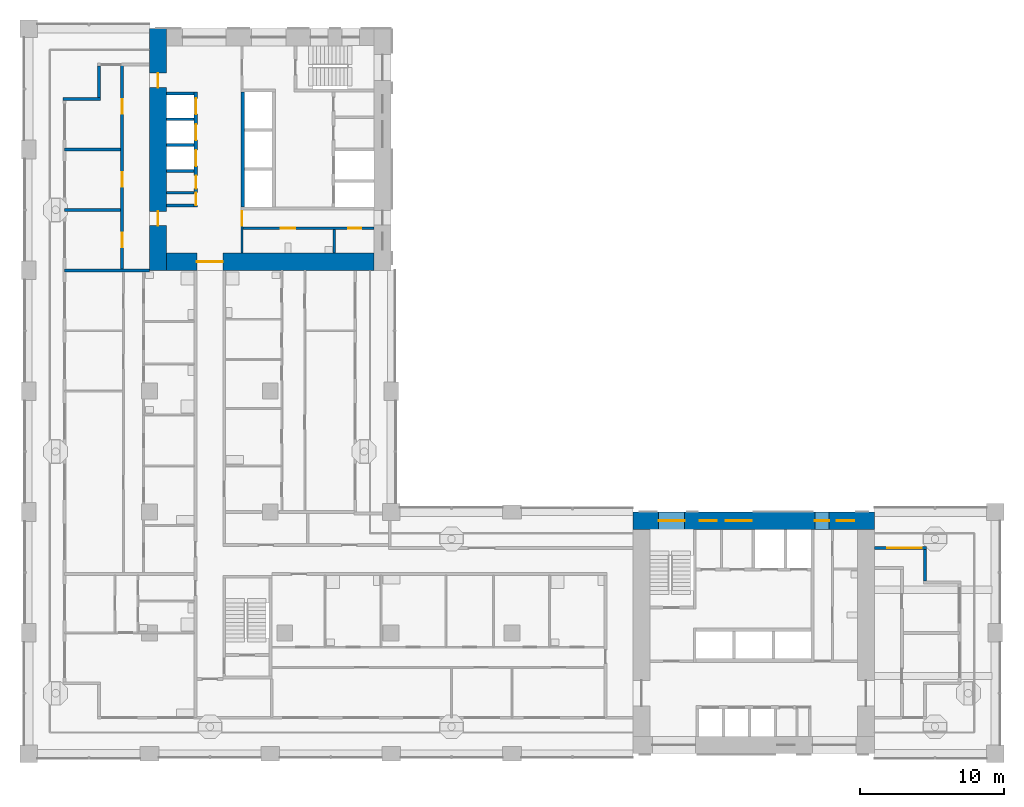
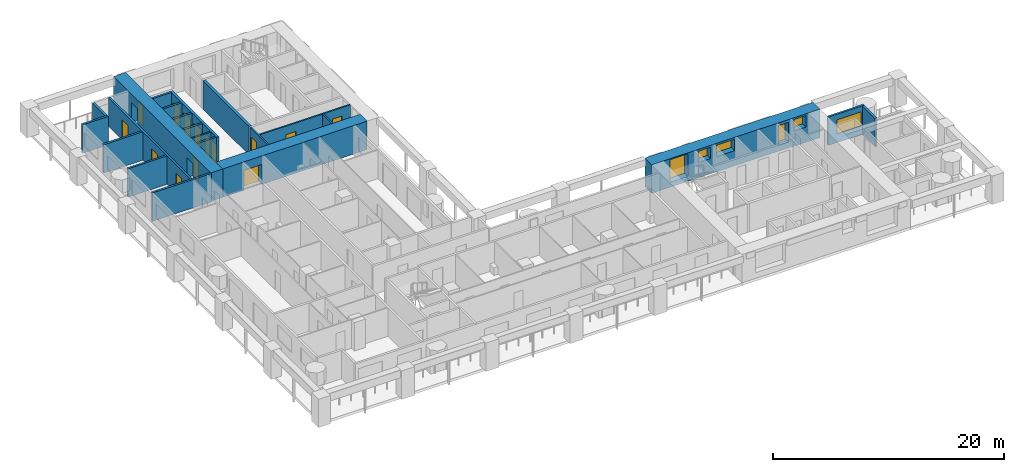
# One storey, part 6 of 18: 22 walls, 14 doors, 6 windows, 20 openings.
"""IFC4 building model written with IfcOpenShell, lengths in metres."""

from ifc_helpers import new_model, si_unit, direction, frame, frame_2d, origin, place, context, subcontext, project, spatial, rectangle, extrude, material, layer, layer_set, type_object, element, fill, save


model = new_model("IFC4")

# Units and contexts
model_context = context("Model", 3, precision=1e-05, world=origin(), true_north=direction((0.0, 1.0)))
body_context = subcontext(model_context, "Body", "Model", "MODEL_VIEW")
ifc_project = project(units=[si_unit("LENGTHUNIT", "METRE"), si_unit("AREAUNIT", "SQUARE_METRE"), si_unit("VOLUMEUNIT", "CUBIC_METRE"), si_unit("PLANEANGLEUNIT", "RADIAN"), si_unit("MASSUNIT", "GRAM", prefix="KILO")], contexts=[model_context])

# Site, building, storey
site_placement = place(None, origin())
site = spatial("IfcSite", under=ifc_project, at=site_placement, CompositionType="ELEMENT")
building_placement = place(site_placement, origin())
building = spatial("IfcBuilding", under=site, at=building_placement, Name="Vermilion Gate Residences", CompositionType="ELEMENT")
storey_placement = place(building_placement, frame((0.0, 0.0, 137.199951171875)))
storey = spatial("IfcBuildingStorey", under=building, at=storey_placement, Name="L35", CompositionType="ELEMENT", Elevation=137.199951171875)

# Wall
ifc_material_1 = material(Name="Masonry blockwork", Category="masonry")
ifc_layer_1 = layer(ifc_material_1, 0.14990234375)
ifc_layer_set_1 = layer_set([ifc_layer_1], Name="BLOCKWORK PARTITION 150 EI 120")
wall_type_1 = type_object("IfcWallType", Name="BLOCKWORK PARTITION 150 EI 120", PredefinedType="PARTITIONING", material=ifc_layer_set_1)
wall_1_placement = place(storey_placement, frame((9.60009765625, 47.392578125, 0.0), z_axis=(0.0, 0.0, 1.0), x_axis=(1.0, 0.0, 0.0)))
element("IfcWall", 1, at=wall_1_placement, inside=storey, type_object=wall_type_1, Name="Core room partition B35-SR-P0", PredefinedType="PARTITIONING", context=body_context, shape_type="SweptSolid", body=[
    extrude(rectangle(XDim=1.89990234375, YDim=0.14990234375, at=frame_2d((0.949951171875, 0.0))), origin(), (0.0, 0.0, 1.0), 3.0),
])

# Wall, opening, door
wall_2_placement = place(storey_placement, frame((14.824951171875, 46.199951171875, 0.0), z_axis=(0.0, 0.0, 1.0), x_axis=(0.0, -1.0, 0.0)))
wall_2 = element("IfcWall", 2, at=wall_2_placement, inside=storey, type_object=wall_type_1, Name="Core room partition B35-ES-S", PredefinedType="PARTITIONING", context=body_context, shape_type="SweptSolid", body=[
    extrude(rectangle(XDim=3.0, YDim=0.14990234375, at=frame_2d((1.5, 0.0))), origin(), (0.0, 0.0, 1.0), 3.0),
])
opening_1_placement = place(wall_2_placement, frame((0.10009765625, 0.0, 0.0)))
opening_1 = element("IfcOpeningElement", 3, at=opening_1_placement, cuts=wall_2, Name="Opening DK35115", PredefinedType="OPENING", context=body_context, shape_type="SweptSolid", body=[
    extrude(rectangle(XDim=1.0, YDim=2.10009765625, at=frame_2d((0.5, 1.050048828125))), frame((0.0, 0.0849609375, 0.0), z_axis=(0.0, -1.0, 0.0), x_axis=(1.0, 0.0, 0.0)), (0.0, 0.0, 1.0), 0.169921875),
])
ifc_material_2 = material(Name="Steel", Category="steel")
door_type_1 = type_object("IfcDoorType", Name="FIRE DOOR FD60 1000 X 2100", OperationType="SINGLE_SWING_LEFT", PredefinedType="DOOR", material=ifc_material_2)
door_1_placement = place(opening_1_placement, frame((1.0, 0.0, 0.0), z_axis=(0.0, 0.0, 1.0), x_axis=(-1.0, 0.0, 0.0)))
door_1 = element("IfcDoor", 4, at=door_1_placement, inside=storey, type_object=door_type_1, Name="Service corridor door B35", OperationType="SINGLE_SWING_LEFT", OverallHeight=2.10009765625, OverallWidth=1.0, PredefinedType="DOOR", context=body_context, shape_type="SweptSolid", body=[
    extrude(rectangle(XDim=1.0, YDim=2.10009765625, at=frame_2d((0.5, 1.050048828125))), frame((0.0, 0.02490234375, 0.0), z_axis=(0.0, -1.0, 0.0), x_axis=(1.0, 0.0, 0.0)), (0.0, 0.0, 1.0), 0.050048828125),
])
fill(opening_1, door_1)

# Wall
wall_3_placement = place(storey_placement, frame((21.239990234375, 44.85009765625, 0.0), z_axis=(0.0, 0.0, 1.0), x_axis=(0.0, -1.0, 0.0)))
element("IfcWall", 5, at=wall_3_placement, inside=storey, type_object=wall_type_1, Name="Core room partition B35-ES-P0", PredefinedType="PARTITIONING", context=body_context, shape_type="SweptSolid", body=[
    extrude(rectangle(XDim=1.650146484375, YDim=0.14990234375, at=frame_2d((0.8251953125, 0.0))), origin(), (0.0, 0.0, 1.0), 3.0),
])

# Wall, openings, doors
wall_4_placement = place(storey_placement, frame((14.89990234375, 44.925048828125, 0.0), z_axis=(0.0, 0.0, 1.0), x_axis=(1.0, 0.0, 0.0)))
wall_4 = element("IfcWall", 6, at=wall_4_placement, inside=storey, type_object=wall_type_1, Name="Core room partition B35-ES-W", PredefinedType="PARTITIONING", context=body_context, shape_type="SweptSolid", body=[
    extrude(rectangle(XDim=9.10009765625, YDim=0.14990234375, at=frame_2d((4.550048828125, 0.0))), origin(), (0.0, 0.0, 1.0), 3.0),
])
opening_2_placement = place(wall_4_placement, frame((2.632568359375, 0.0, 0.0)))
opening_2 = element("IfcOpeningElement", 7, at=opening_2_placement, cuts=wall_4, Name="Opening DK35116", PredefinedType="OPENING", context=body_context, shape_type="SweptSolid", body=[
    extrude(rectangle(XDim=1.0, YDim=2.10009765625, at=frame_2d((0.5, 1.050048828125))), frame((0.0, 0.0849609375, 0.0), z_axis=(0.0, -1.0, 0.0), x_axis=(1.0, 0.0, 0.0)), (0.0, 0.0, 1.0), 0.169921875),
])
opening_3_placement = place(wall_4_placement, frame((7.3076171875, 0.0, 0.0)))
opening_3 = element("IfcOpeningElement", 8, at=opening_3_placement, cuts=wall_4, Name="Opening DK35117", PredefinedType="OPENING", context=body_context, shape_type="SweptSolid", body=[
    extrude(rectangle(XDim=0.89990234375, YDim=2.10009765625, at=frame_2d((0.449951171875, 1.050048828125))), frame((0.0, 0.0849609375, 0.0), z_axis=(0.0, -1.0, 0.0), x_axis=(1.0, 0.0, 0.0)), (0.0, 0.0, 1.0), 0.169921875),
])
door_2_placement = place(opening_2_placement, frame((1.0, 0.0, 0.0), z_axis=(0.0, 0.0, 1.0), x_axis=(-1.0, 0.0, 0.0)))
door_2 = element("IfcDoor", 9, at=door_2_placement, inside=storey, type_object=door_type_1, Name="Accessible WC B35", OperationType="SINGLE_SWING_RIGHT", OverallHeight=2.10009765625, OverallWidth=1.0, PredefinedType="DOOR", context=body_context, shape_type="SweptSolid", body=[
    extrude(rectangle(XDim=1.0, YDim=2.10009765625, at=frame_2d((0.5, 1.050048828125))), frame((0.0, 0.02490234375, 0.0), z_axis=(0.0, -1.0, 0.0), x_axis=(1.0, 0.0, 0.0)), (0.0, 0.0, 1.0), 0.050048828125),
])
fill(opening_2, door_2)
ifc_material_3 = material(Name="Steel", Category="steel")
door_type_2 = type_object("IfcDoorType", Name="SERVICE ROOM DOOR FD60 900 X 2100", OperationType="SINGLE_SWING_LEFT", PredefinedType="DOOR", material=ifc_material_3)
door_3_placement = place(opening_3_placement, frame((0.89990234375, 0.0, 0.0), z_axis=(0.0, 0.0, 1.0), x_axis=(-1.0, 0.0, 0.0)))
door_3 = element("IfcDoor", 10, at=door_3_placement, inside=storey, type_object=door_type_2, Name="Communications room B35", OperationType="SINGLE_SWING_LEFT", OverallHeight=2.10009765625, OverallWidth=0.89990234375, PredefinedType="DOOR", context=body_context, shape_type="SweptSolid", body=[
    extrude(rectangle(XDim=0.89990234375, YDim=2.10009765625, at=frame_2d((0.449951171875, 1.050048828125))), frame((0.0, 0.02490234375, 0.0), z_axis=(0.0, -1.0, 0.0), x_axis=(1.0, 0.0, 0.0)), (0.0, 0.0, 1.0), 0.050048828125),
])
fill(opening_3, door_3)

# Walls
ifc_material_4 = material(Name="Insulated steel stud wall with terracotta rainscreen", Category="masonry")
ifc_layer_2 = layer(ifc_material_4, 0.199951171875)
ifc_layer_set_2 = layer_set([ifc_layer_2], Name="EXTERNAL WALL 200 TERRACOTTA RAINSCREEN")
wall_type_2 = type_object("IfcWallType", Name="EXTERNAL WALL 200 TERRACOTTA RAINSCREEN", PredefinedType="SOLIDWALL", material=ifc_layer_set_2)
wall_5_placement = place(storey_placement, frame((4.89990234375, 56.199951171875, 0.0), z_axis=(0.0, 0.0, 1.0), x_axis=(0.0, -1.0, 0.0)))
element("IfcWall", 11, at=wall_5_placement, inside=storey, type_object=wall_type_2, Name="External wall", PredefinedType="SOLIDWALL", context=body_context, shape_type="SweptSolid", body=[
    extrude(rectangle(XDim=2.199951171875, YDim=0.199951171875, at=frame_2d((1.10009765625, 0.0))), origin(), (0.0, 0.0, 1.0), 3.0),
])
wall_6_placement = place(storey_placement, frame((5.0, 53.89990234375, 0.0), z_axis=(0.0, 0.0, 1.0), x_axis=(-1.0, 0.0, 0.0)))
element("IfcWall", 12, at=wall_6_placement, inside=storey, type_object=wall_type_2, Name="External wall", PredefinedType="SOLIDWALL", context=body_context, shape_type="SweptSolid", body=[
    extrude(rectangle(XDim=2.60009765625, YDim=0.199951171875, at=frame_2d((1.300048828125, 0.0))), origin(), (0.0, 0.0, 1.0), 3.0),
])
wall_7_placement = place(storey_placement, frame((62.300048828125, 20.39990234375, 0.0), z_axis=(0.0, 0.0, 1.0), x_axis=(0.0, 1.0, 0.0)))
element("IfcWall", 13, at=wall_7_placement, inside=storey, type_object=wall_type_2, Name="External wall", PredefinedType="SOLIDWALL", context=body_context, shape_type="SweptSolid", body=[
    extrude(rectangle(XDim=2.2001953125, YDim=0.199951171875, at=frame_2d((1.10009765625, 0.0))), origin(), (0.0, 0.0, 1.0), 3.0),
])

# Wall, opening, window
wall_8_placement = place(storey_placement, frame((62.39990234375, 22.699951171875, 0.0), z_axis=(0.0, 0.0, 1.0), x_axis=(-1.0, 0.0, 0.0)))
wall_8 = element("IfcWall", 14, at=wall_8_placement, inside=storey, type_object=wall_type_2, Name="External wall", PredefinedType="SOLIDWALL", context=body_context, shape_type="SweptSolid", body=[
    extrude(rectangle(XDim=3.599853515625, YDim=0.199951171875, at=frame_2d((1.7998046875, 0.0))), origin(), (0.0, 0.0, 1.0), 3.0),
])
opening_4_placement = place(wall_8_placement, frame((0.300048828125, 0.0, 0.89990234375)))
opening_4 = element("IfcOpeningElement", 15, at=opening_4_placement, cuts=wall_8, Name="Opening WE35023", PredefinedType="OPENING", context=body_context, shape_type="SweptSolid", body=[
    extrude(rectangle(XDim=2.39990234375, YDim=1.5, at=frame_2d((1.199951171875, 0.75))), frame((0.0, 0.10986328125, 0.0), z_axis=(0.0, -1.0, 0.0), x_axis=(1.0, 0.0, 0.0)), (0.0, 0.0, 1.0), 0.219970703125),
])
ifc_material_5 = material(Name="Aluminium and clear glass", Category="aluminium")
window_type_1 = type_object("IfcWindowType", Name="WINDOW 2400 X 1500", PartitioningType="SINGLE_PANEL", PredefinedType="WINDOW", material=ifc_material_5)
window_1_placement = place(opening_4_placement, origin())
window_1 = element("IfcWindow", 16, at=window_1_placement, inside=storey, type_object=window_type_1, Name="Window", OverallHeight=1.5, OverallWidth=2.39990234375, PartitioningType="SINGLE_PANEL", PredefinedType="WINDOW", context=body_context, shape_type="SweptSolid", body=[
    extrude(rectangle(XDim=2.39990234375, YDim=1.5, at=frame_2d((1.199951171875, 0.75))), frame((0.0, 0.030029296875, 0.0), z_axis=(0.0, -1.0, 0.0), x_axis=(1.0, 0.0, 0.0)), (0.0, 0.0, 1.0), 0.06005859375),
])
fill(opening_4, window_1)

# Walls
ifc_material_6 = material(Name="Fire-rated plasterboard on steel studs", Category="steel")
ifc_layer_3 = layer(ifc_material_6, 0.199951171875)
ifc_layer_set_3 = layer_set([ifc_layer_3], Name="PARTY WALL 200 EI 120")
wall_type_3 = type_object("IfcWallType", Name="PARTY WALL 200 EI 120", PredefinedType="PARTITIONING", material=ifc_layer_set_3)
wall_9_placement = place(storey_placement, frame((2.5, 42.0, 0.0), z_axis=(0.0, 0.0, 1.0), x_axis=(1.0, 0.0, 0.0)))
element("IfcWall", 17, at=wall_9_placement, inside=storey, type_object=wall_type_3, Name="Party and corridor wall", PredefinedType="PARTITIONING", context=body_context, shape_type="SweptSolid", body=[
    extrude(rectangle(XDim=5.89990234375, YDim=0.199951171875, at=frame_2d((2.949951171875, 0.0))), origin(), (0.0, 0.0, 1.0), 3.0),
])
for number, where, z_axis, x_axis, name in (
    (18, (2.5, 46.199951171875, 0.0), (0.0, 0.0, 1.0), (1.0, 0.0, 0.0), "Party and corridor wall"),
    (19, (2.5, 50.39990234375, 0.0), (0.0, 0.0, 1.0), (1.0, 0.0, 0.0), "Party and corridor wall"),
):
    element("IfcWall", number, at=place(storey_placement, frame(where, z_axis=z_axis, x_axis=x_axis)), inside=storey, type_object=wall_type_3, Name=name, PredefinedType="PARTITIONING", context=body_context, shape_type="SweptSolid", body=[
        extrude(rectangle(XDim=3.89990234375, YDim=0.199951171875, at=frame_2d((1.949951171875, 0.0))), origin(), (0.0, 0.0, 1.0), 3.0),
    ])

# Wall, openings, doors
wall_10_placement = place(storey_placement, frame((6.5, 42.10009765625, 0.0), z_axis=(0.0, 0.0, 1.0), x_axis=(0.0, 1.0, 0.0)))
wall_10 = element("IfcWall", 20, at=wall_10_placement, inside=storey, type_object=wall_type_3, Name="Party and corridor wall", PredefinedType="PARTITIONING", context=body_context, shape_type="SweptSolid", body=[
    extrude(rectangle(XDim=14.199951171875, YDim=0.199951171875, at=frame_2d((7.10009765625, 0.0))), origin(), (0.0, 0.0, 1.0), 3.0),
])
opening_5_placement = place(wall_10_placement, frame((1.5, 0.0, 0.0)))
opening_5 = element("IfcOpeningElement", 21, at=opening_5_placement, cuts=wall_10, Name="Opening DA34016", PredefinedType="OPENING", context=body_context, shape_type="SweptSolid", body=[
    extrude(rectangle(XDim=1.0, YDim=2.10009765625, at=frame_2d((0.5, 1.050048828125))), frame((0.0, 0.10986328125, 0.0), z_axis=(0.0, -1.0, 0.0), x_axis=(1.0, 0.0, 0.0)), (0.0, 0.0, 1.0), 0.219970703125),
])
opening_6_placement = place(wall_10_placement, frame((5.699951171875, 0.0, 0.0)))
opening_6 = element("IfcOpeningElement", 22, at=opening_6_placement, cuts=wall_10, Name="Opening DA34017", PredefinedType="OPENING", context=body_context, shape_type="SweptSolid", body=[
    extrude(rectangle(XDim=1.0, YDim=2.10009765625, at=frame_2d((0.5, 1.050048828125))), frame((0.0, 0.10986328125, 0.0), z_axis=(0.0, -1.0, 0.0), x_axis=(1.0, 0.0, 0.0)), (0.0, 0.0, 1.0), 0.219970703125),
])
opening_7_placement = place(wall_10_placement, frame((10.800048828125, 0.0, 0.0)))
opening_7 = element("IfcOpeningElement", 23, at=opening_7_placement, cuts=wall_10, Name="Opening DA34018", PredefinedType="OPENING", context=body_context, shape_type="SweptSolid", body=[
    extrude(rectangle(XDim=1.0, YDim=2.10009765625, at=frame_2d((0.5, 1.050048828125))), frame((0.0, 0.10986328125, 0.0), z_axis=(0.0, -1.0, 0.0), x_axis=(1.0, 0.0, 0.0)), (0.0, 0.0, 1.0), 0.219970703125),
])
ifc_material_7 = material(Name="Steel", Category="steel")
door_type_3 = type_object("IfcDoorType", Name="ENTRANCE DOOR 1000 X 2100 FD30", OperationType="SINGLE_SWING_LEFT", PredefinedType="DOOR", material=ifc_material_7)
door_4_placement = place(opening_5_placement, origin())
door_4 = element("IfcDoor", 24, at=door_4_placement, inside=storey, type_object=door_type_3, Name="Entrance door", OperationType="SINGLE_SWING_LEFT", OverallHeight=2.10009765625, OverallWidth=1.0, PredefinedType="DOOR", context=body_context, shape_type="SweptSolid", body=[
    extrude(rectangle(XDim=1.0, YDim=2.10009765625, at=frame_2d((0.5, 1.050048828125))), frame((0.0, 0.02490234375, 0.0), z_axis=(0.0, -1.0, 0.0), x_axis=(1.0, 0.0, 0.0)), (0.0, 0.0, 1.0), 0.050048828125),
])
fill(opening_5, door_4)
door_5_placement = place(opening_6_placement, origin())
door_5 = element("IfcDoor", 25, at=door_5_placement, inside=storey, type_object=door_type_3, Name="Entrance door", OperationType="SINGLE_SWING_RIGHT", OverallHeight=2.10009765625, OverallWidth=1.0, PredefinedType="DOOR", context=body_context, shape_type="SweptSolid", body=[
    extrude(rectangle(XDim=1.0, YDim=2.10009765625, at=frame_2d((0.5, 1.050048828125))), frame((0.0, 0.02490234375, 0.0), z_axis=(0.0, -1.0, 0.0), x_axis=(1.0, 0.0, 0.0)), (0.0, 0.0, 1.0), 0.050048828125),
])
fill(opening_6, door_5)
door_6_placement = place(opening_7_placement, origin())
door_6 = element("IfcDoor", 26, at=door_6_placement, inside=storey, type_object=door_type_3, Name="Entrance door", OperationType="SINGLE_SWING_RIGHT", OverallHeight=2.10009765625, OverallWidth=1.0, PredefinedType="DOOR", context=body_context, shape_type="SweptSolid", body=[
    extrude(rectangle(XDim=1.0, YDim=2.10009765625, at=frame_2d((0.5, 1.050048828125))), frame((0.0, 0.02490234375, 0.0), z_axis=(0.0, -1.0, 0.0), x_axis=(1.0, 0.0, 0.0)), (0.0, 0.0, 1.0), 0.050048828125),
])
fill(opening_7, door_6)

# Walls
ifc_material_8 = material(Name="Concrete C60", Category="concrete")
ifc_layer_4 = layer(ifc_material_8, 0.199951171875)
ifc_layer_set_4 = layer_set([ifc_layer_4], Name="RC CORE INTERNAL WALL 200 C60")
wall_type_4 = type_object("IfcWallType", Name="RC CORE INTERNAL WALL 200 C60", PredefinedType="SHEAR", material=ifc_layer_set_4)
for number, where, z_axis, x_axis, name in (
    (27, (9.60009765625, 54.300048828125, 0.0), (0.0, 0.0, 1.0), (1.0, 0.0, 0.0), "Core internal wall B35-LR-D0"),
    (28, (9.60009765625, 52.5, 0.0), (0.0, 0.0, 1.0), (1.0, 0.0, 0.0), "Core internal wall B35-LR-D1"),
    (29, (9.60009765625, 50.699951171875, 0.0), (0.0, 0.0, 1.0), (1.0, 0.0, 0.0), "Core internal wall B35-LR-D2"),
    (30, (9.60009765625, 48.89990234375, 0.0), (0.0, 0.0, 1.0), (1.0, 0.0, 0.0), "Core internal wall B35-LR-D3"),
    (31, (9.60009765625, 46.5, 0.0), (0.0, 0.0, 1.0), (1.0, 0.0, 0.0), "Core internal wall B35-LR-DE"),
):
    element("IfcWall", number, at=place(storey_placement, frame(where, z_axis=z_axis, x_axis=x_axis)), inside=storey, type_object=wall_type_4, Name=name, PredefinedType="SHEAR", context=body_context, shape_type="SweptSolid", body=[
        extrude(rectangle(XDim=1.89990234375, YDim=0.199951171875, at=frame_2d((0.949951171875, 0.0))), origin(), (0.0, 0.0, 1.0), 3.0),
    ])

# Wall, openings, doors
ifc_material_9 = material(Name="Concrete C70", Category="concrete")
ifc_layer_5 = layer(ifc_material_9, 1.199951171875)
ifc_layer_set_5 = layer_set([ifc_layer_5], Name="RC CORE WALL 1200 C70")
wall_type_5 = type_object("IfcWallType", Name="RC CORE WALL 1200 C70", PredefinedType="SHEAR", material=ifc_layer_set_5)
wall_11_placement = place(storey_placement, frame((9.0, 58.800048828125, 0.0), z_axis=(0.0, 0.0, 1.0), x_axis=(0.0, -1.0, 0.0)))
wall_11 = element("IfcWall", 32, at=wall_11_placement, inside=storey, type_object=wall_type_5, Name="Core wall B35-OUT-B0", PredefinedType="SHEAR", context=body_context, shape_type="SweptSolid", body=[
    extrude(rectangle(XDim=16.800048828125, YDim=1.199951171875, at=frame_2d((8.39990234375, 0.0))), origin(), (0.0, 0.0, 1.0), 3.0),
])
opening_8_placement = place(wall_11_placement, frame((3.10009765625, 0.0, 0.0)))
opening_8 = element("IfcOpeningElement", 33, at=opening_8_placement, cuts=wall_11, Name="Opening DK35101", PredefinedType="OPENING", context=body_context, shape_type="SweptSolid", body=[
    extrude(rectangle(XDim=1.0, YDim=2.10009765625, at=frame_2d((0.5, 1.050048828125))), frame((0.0, 0.60986328125, 0.0), z_axis=(0.0, -1.0, 0.0), x_axis=(1.0, 0.0, 0.0)), (0.0, 0.0, 1.0), 1.219970703125),
])
opening_9_placement = place(wall_11_placement, frame((12.699951171875, 0.0, 0.0)))
opening_9 = element("IfcOpeningElement", 34, at=opening_9_placement, cuts=wall_11, Name="Opening DK35102", PredefinedType="OPENING", context=body_context, shape_type="SweptSolid", body=[
    extrude(rectangle(XDim=1.0, YDim=2.10009765625, at=frame_2d((0.5, 1.050048828125))), frame((0.0, 0.60986328125, 0.0), z_axis=(0.0, -1.0, 0.0), x_axis=(1.0, 0.0, 0.0)), (0.0, 0.0, 1.0), 1.219970703125),
])
door_7_placement = place(opening_8_placement, origin())
door_7 = element("IfcDoor", 35, at=door_7_placement, inside=storey, type_object=door_type_1, Name="Core lobby side door B35", OperationType="SINGLE_SWING_RIGHT", OverallHeight=2.10009765625, OverallWidth=1.0, PredefinedType="DOOR", context=body_context, shape_type="SweptSolid", body=[
    extrude(rectangle(XDim=1.0, YDim=2.10009765625, at=frame_2d((0.5, 1.050048828125))), frame((0.0, 0.02490234375, 0.0), z_axis=(0.0, -1.0, 0.0), x_axis=(1.0, 0.0, 0.0)), (0.0, 0.0, 1.0), 0.050048828125),
])
fill(opening_8, door_7)
door_8_placement = place(opening_9_placement, origin())
door_8 = element("IfcDoor", 36, at=door_8_placement, inside=storey, type_object=door_type_1, Name="Core lobby side door B35", OperationType="SINGLE_SWING_LEFT", OverallHeight=2.10009765625, OverallWidth=1.0, PredefinedType="DOOR", context=body_context, shape_type="SweptSolid", body=[
    extrude(rectangle(XDim=1.0, YDim=2.10009765625, at=frame_2d((0.5, 1.050048828125))), frame((0.0, 0.02490234375, 0.0), z_axis=(0.0, -1.0, 0.0), x_axis=(1.0, 0.0, 0.0)), (0.0, 0.0, 1.0), 0.050048828125),
])
fill(opening_9, door_8)

# Wall, opening, door
wall_12_placement = place(storey_placement, frame((9.60009765625, 42.60009765625, 0.0), z_axis=(0.0, 0.0, 1.0), x_axis=(1.0, 0.0, 0.0)))
wall_12 = element("IfcWall", 37, at=wall_12_placement, inside=storey, type_object=wall_type_5, Name="Core wall B35-OUT-BK", PredefinedType="SHEAR", context=body_context, shape_type="SweptSolid", body=[
    extrude(rectangle(XDim=14.39990234375, YDim=1.199951171875, at=frame_2d((7.199951171875, 0.0))), origin(), (0.0, 0.0, 1.0), 3.0),
])
opening_10_placement = place(wall_12_placement, frame((2.10009765625, 0.0, 0.0)))
opening_10 = element("IfcOpeningElement", 38, at=opening_10_placement, cuts=wall_12, Name="Opening DK35103", PredefinedType="OPENING", context=body_context, shape_type="SweptSolid", body=[
    extrude(rectangle(XDim=1.800048828125, YDim=2.10009765625, at=frame_2d((0.89990234375, 1.050048828125))), frame((0.0, 0.60986328125, 0.0), z_axis=(0.0, -1.0, 0.0), x_axis=(1.0, 0.0, 0.0)), (0.0, 0.0, 1.0), 1.219970703125),
])
ifc_material_10 = material(Name="Steel", Category="steel")
door_type_4 = type_object("IfcDoorType", Name="CORE LOBBY DOOR FD60 1800 X 2100", OperationType="DOUBLE_DOOR_SINGLE_SWING", PredefinedType="DOOR", material=ifc_material_10)
door_9_placement = place(opening_10_placement, origin())
door_9 = element("IfcDoor", 39, at=door_9_placement, inside=storey, type_object=door_type_4, Name="Core lobby door B35", OperationType="DOUBLE_DOOR_SINGLE_SWING", OverallHeight=2.10009765625, OverallWidth=1.800048828125, PredefinedType="DOOR", context=body_context, shape_type="SweptSolid", body=[
    extrude(rectangle(XDim=1.800048828125, YDim=2.10009765625, at=frame_2d((0.89990234375, 1.050048828125))), frame((0.0, 0.02490234375, 0.0), z_axis=(0.0, -1.0, 0.0), x_axis=(1.0, 0.0, 0.0)), (0.0, 0.0, 1.0), 0.050048828125),
])
fill(opening_10, door_9)

# Wall, openings, windows
ifc_material_11 = material(Name="Concrete C70 red-oxide pigmented", Category="concrete")
ifc_layer_6 = layer(ifc_material_11, 1.199951171875)
ifc_layer_set_6 = layer_set([ifc_layer_6], Name="RC CORE WALL 1200 C70 RED OXIDE")
wall_type_6 = type_object("IfcWallType", Name="RC CORE WALL 1200 C70 RED OXIDE", PredefinedType="SHEAR", material=ifc_layer_set_6)
wall_13_placement = place(storey_placement, frame((42.0, 24.60009765625, 0.0), z_axis=(0.0, 0.0, 1.0), x_axis=(1.0, 0.0, 0.0)))
wall_13 = element("IfcWall", 40, at=wall_13_placement, inside=storey, type_object=wall_type_6, Name="Core wall A35-OUT-B1", PredefinedType="SHEAR", context=body_context, shape_type="SweptSolid", body=[
    extrude(rectangle(XDim=16.800048828125, YDim=1.199951171875, at=frame_2d((8.39990234375, 0.0))), origin(), (0.0, 0.0, 1.0), 3.0),
])
opening_11_placement = place(wall_13_placement, frame((1.800048828125, 0.0, 0.5)))
opening_11 = element("IfcOpeningElement", 41, at=opening_11_placement, cuts=wall_13, Name="Opening WKA3504", PredefinedType="OPENING", context=body_context, shape_type="SweptSolid", body=[
    extrude(rectangle(XDim=1.800048828125, YDim=2.39990234375, at=frame_2d((0.89990234375, 1.199951171875))), frame((0.0, 0.60986328125, 0.0), z_axis=(0.0, -1.0, 0.0), x_axis=(1.0, 0.0, 0.0)), (0.0, 0.0, 1.0), 1.219970703125),
])
opening_12_placement = place(wall_13_placement, frame((4.643798828125, 0.0, 1.60009765625)))
opening_12 = element("IfcOpeningElement", 42, at=opening_12_placement, cuts=wall_13, Name="Opening WKA3505", PredefinedType="OPENING", context=body_context, shape_type="SweptSolid", body=[
    extrude(rectangle(XDim=1.199951171875, YDim=1.199951171875, at=frame_2d((0.60009765625, 0.60009765625))), frame((0.0, 0.60986328125, 0.0), z_axis=(0.0, -1.0, 0.0), x_axis=(1.0, 0.0, 0.0)), (0.0, 0.0, 1.0), 1.219970703125),
])
opening_13_placement = place(wall_13_placement, frame((6.449951171875, 0.0, 1.60009765625)))
opening_13 = element("IfcOpeningElement", 43, at=opening_13_placement, cuts=wall_13, Name="Opening WKA3506", PredefinedType="OPENING", context=body_context, shape_type="SweptSolid", body=[
    extrude(rectangle(XDim=1.800048828125, YDim=1.199951171875, at=frame_2d((0.89990234375, 0.60009765625))), frame((0.0, 0.60986328125, 0.0), z_axis=(0.0, -1.0, 0.0), x_axis=(1.0, 0.0, 0.0)), (0.0, 0.0, 1.0), 1.219970703125),
])
opening_14_placement = place(wall_13_placement, frame((12.64990234375, 0.0, 0.60009765625)))
opening_14 = element("IfcOpeningElement", 44, at=opening_14_placement, cuts=wall_13, Name="Opening WKA3507", PredefinedType="OPENING", context=body_context, shape_type="SweptSolid", body=[
    extrude(rectangle(XDim=1.0, YDim=2.10009765625, at=frame_2d((0.5, 1.050048828125))), frame((0.0, 0.60986328125, 0.0), z_axis=(0.0, -1.0, 0.0), x_axis=(1.0, 0.0, 0.0)), (0.0, 0.0, 1.0), 1.219970703125),
])
opening_15_placement = place(wall_13_placement, frame((14.175048828125, 0.0, 1.60009765625)))
opening_15 = element("IfcOpeningElement", 45, at=opening_15_placement, cuts=wall_13, Name="Opening WKA3508", PredefinedType="OPENING", context=body_context, shape_type="SweptSolid", body=[
    extrude(rectangle(XDim=1.199951171875, YDim=1.199951171875, at=frame_2d((0.60009765625, 0.60009765625))), frame((0.0, 0.60986328125, 0.0), z_axis=(0.0, -1.0, 0.0), x_axis=(1.0, 0.0, 0.0)), (0.0, 0.0, 1.0), 1.219970703125),
])
ifc_material_12 = material(Name="Aluminium and clear glass", Category="aluminium")
window_type_2 = type_object("IfcWindowType", Name="CORE CORRIDOR WINDOW 1000 X 2100", PartitioningType="SINGLE_PANEL", PredefinedType="WINDOW", material=ifc_material_12)
window_2_placement = place(opening_14_placement, origin())
window_2 = element("IfcWindow", 46, at=window_2_placement, inside=storey, type_object=window_type_2, Name="Core corridor window", OverallHeight=2.10009765625, OverallWidth=1.0, PartitioningType="SINGLE_PANEL", PredefinedType="WINDOW", context=body_context, shape_type="SweptSolid", body=[
    extrude(rectangle(XDim=1.0, YDim=2.10009765625, at=frame_2d((0.5, 1.050048828125))), frame((0.0, 0.030029296875, 0.0), z_axis=(0.0, -1.0, 0.0), x_axis=(1.0, 0.0, 0.0)), (0.0, 0.0, 1.0), 0.06005859375),
])
fill(opening_14, window_2)
ifc_material_13 = material(Name="Aluminium frame with louvre blades", Category="aluminium")
window_type_3 = type_object("IfcWindowType", Name="CORE LOUVRE 1200 X 1200", PartitioningType="SINGLE_PANEL", PredefinedType="WINDOW", material=ifc_material_13)
window_3_placement = place(opening_12_placement, origin())
window_3 = element("IfcWindow", 47, at=window_3_placement, inside=storey, type_object=window_type_3, Name="Core louvre", OverallHeight=1.199951171875, OverallWidth=1.199951171875, PartitioningType="SINGLE_PANEL", PredefinedType="WINDOW", context=body_context, shape_type="SweptSolid", body=[
    extrude(rectangle(XDim=1.199951171875, YDim=1.199951171875, at=frame_2d((0.60009765625, 0.60009765625))), frame((0.0, 0.030029296875, 0.0), z_axis=(0.0, -1.0, 0.0), x_axis=(1.0, 0.0, 0.0)), (0.0, 0.0, 1.0), 0.06005859375),
])
fill(opening_12, window_3)
window_4_placement = place(opening_15_placement, origin())
window_4 = element("IfcWindow", 48, at=window_4_placement, inside=storey, type_object=window_type_3, Name="Core louvre", OverallHeight=1.199951171875, OverallWidth=1.199951171875, PartitioningType="SINGLE_PANEL", PredefinedType="WINDOW", context=body_context, shape_type="SweptSolid", body=[
    extrude(rectangle(XDim=1.199951171875, YDim=1.199951171875, at=frame_2d((0.60009765625, 0.60009765625))), frame((0.0, 0.030029296875, 0.0), z_axis=(0.0, -1.0, 0.0), x_axis=(1.0, 0.0, 0.0)), (0.0, 0.0, 1.0), 0.06005859375),
])
fill(opening_15, window_4)
ifc_material_14 = material(Name="Aluminium frame with louvre blades", Category="aluminium")
window_type_4 = type_object("IfcWindowType", Name="CORE LOUVRE 1800 X 1200", PartitioningType="SINGLE_PANEL", PredefinedType="WINDOW", material=ifc_material_14)
window_5_placement = place(opening_13_placement, origin())
window_5 = element("IfcWindow", 49, at=window_5_placement, inside=storey, type_object=window_type_4, Name="Core louvre", OverallHeight=1.199951171875, OverallWidth=1.800048828125, PartitioningType="SINGLE_PANEL", PredefinedType="WINDOW", context=body_context, shape_type="SweptSolid", body=[
    extrude(rectangle(XDim=1.800048828125, YDim=1.199951171875, at=frame_2d((0.89990234375, 0.60009765625))), frame((0.0, 0.030029296875, 0.0), z_axis=(0.0, -1.0, 0.0), x_axis=(1.0, 0.0, 0.0)), (0.0, 0.0, 1.0), 0.06005859375),
])
fill(opening_13, window_5)
ifc_material_15 = material(Name="Aluminium and clear glass", Category="aluminium")
window_type_5 = type_object("IfcWindowType", Name="CORE STAIR WINDOW 1800 X 2400", PartitioningType="SINGLE_PANEL", PredefinedType="WINDOW", material=ifc_material_15)
window_6_placement = place(opening_11_placement, origin())
window_6 = element("IfcWindow", 50, at=window_6_placement, inside=storey, type_object=window_type_5, Name="Core stair window", OverallHeight=2.39990234375, OverallWidth=1.800048828125, PartitioningType="SINGLE_PANEL", PredefinedType="WINDOW", context=body_context, shape_type="SweptSolid", body=[
    extrude(rectangle(XDim=1.800048828125, YDim=2.39990234375, at=frame_2d((0.89990234375, 1.199951171875))), frame((0.0, 0.030029296875, 0.0), z_axis=(0.0, -1.0, 0.0), x_axis=(1.0, 0.0, 0.0)), (0.0, 0.0, 1.0), 0.06005859375),
])
fill(opening_11, window_6)

# Wall, openings, doors
ifc_material_16 = material(Name="Concrete C60", Category="concrete")
ifc_layer_7 = layer(ifc_material_16, 0.25)
ifc_layer_set_7 = layer_set([ifc_layer_7], Name="RC LIFT SHAFT WALL 250 C60")
wall_type_7 = type_object("IfcWallType", Name="RC LIFT SHAFT WALL 250 C60", PredefinedType="SHEAR", material=ifc_layer_set_7)
wall_14_placement = place(storey_placement, frame((11.625, 54.39990234375, 0.0), z_axis=(0.0, 0.0, 1.0), x_axis=(0.0, -1.0, 0.0)))
wall_14 = element("IfcWall", 51, at=wall_14_placement, inside=storey, type_object=wall_type_7, Name="Lift shaft wall B35-LR-F", PredefinedType="SHEAR", context=body_context, shape_type="SweptSolid", body=[
    extrude(rectangle(XDim=8.0, YDim=0.25, at=frame_2d((4.0, 0.0))), origin(), (0.0, 0.0, 1.0), 3.0),
])
opening_16_placement = place(wall_14_placement, frame((0.449951171875, 0.0, 0.0)))
opening_16 = element("IfcOpeningElement", 52, at=opening_16_placement, cuts=wall_14, Name="Opening LD", PredefinedType="OPENING", context=body_context, shape_type="SweptSolid", body=[
    extrude(rectangle(XDim=1.10009765625, YDim=2.10009765625, at=frame_2d((0.550048828125, 1.050048828125))), frame((0.0, 0.135009765625, 0.0), z_axis=(0.0, -1.0, 0.0), x_axis=(1.0, 0.0, 0.0)), (0.0, 0.0, 1.0), 0.27001953125),
])
opening_17_placement = place(wall_14_placement, frame((2.25, 0.0, 0.0)))
opening_17 = element("IfcOpeningElement", 53, at=opening_17_placement, cuts=wall_14, Name="Opening LD", PredefinedType="OPENING", context=body_context, shape_type="SweptSolid", body=[
    extrude(rectangle(XDim=1.10009765625, YDim=2.10009765625, at=frame_2d((0.550048828125, 1.050048828125))), frame((0.0, 0.135009765625, 0.0), z_axis=(0.0, -1.0, 0.0), x_axis=(1.0, 0.0, 0.0)), (0.0, 0.0, 1.0), 0.27001953125),
])
opening_18_placement = place(wall_14_placement, frame((4.050048828125, 0.0, 0.0)))
opening_18 = element("IfcOpeningElement", 54, at=opening_18_placement, cuts=wall_14, Name="Opening LD", PredefinedType="OPENING", context=body_context, shape_type="SweptSolid", body=[
    extrude(rectangle(XDim=1.10009765625, YDim=2.10009765625, at=frame_2d((0.550048828125, 1.050048828125))), frame((0.0, 0.135009765625, 0.0), z_axis=(0.0, -1.0, 0.0), x_axis=(1.0, 0.0, 0.0)), (0.0, 0.0, 1.0), 0.27001953125),
])
opening_19_placement = place(wall_14_placement, frame((5.816162109375, 0.0, 0.0)))
opening_19 = element("IfcOpeningElement", 55, at=opening_19_placement, cuts=wall_14, Name="Opening DK35107", PredefinedType="OPENING", context=body_context, shape_type="SweptSolid", body=[
    extrude(rectangle(XDim=0.89990234375, YDim=2.10009765625, at=frame_2d((0.449951171875, 1.050048828125))), frame((0.0, 0.135009765625, 0.0), z_axis=(0.0, -1.0, 0.0), x_axis=(1.0, 0.0, 0.0)), (0.0, 0.0, 1.0), 0.27001953125),
])
opening_20_placement = place(wall_14_placement, frame((6.9912109375, 0.0, 0.0)))
opening_20 = element("IfcOpeningElement", 56, at=opening_20_placement, cuts=wall_14, Name="Opening DK35108", PredefinedType="OPENING", context=body_context, shape_type="SweptSolid", body=[
    extrude(rectangle(XDim=0.89990234375, YDim=2.10009765625, at=frame_2d((0.449951171875, 1.050048828125))), frame((0.0, 0.135009765625, 0.0), z_axis=(0.0, -1.0, 0.0), x_axis=(1.0, 0.0, 0.0)), (0.0, 0.0, 1.0), 0.27001953125),
])
ifc_material_17 = material(Name="Stainless steel", Category="steel")
door_type_5 = type_object("IfcDoorType", Name="LIFT LANDING DOOR E60 1100 X 2100", OperationType="DOUBLE_DOOR_SLIDING", PredefinedType="DOOR", material=ifc_material_17)
door_10_placement = place(opening_16_placement, origin())
door_10 = element("IfcDoor", 57, at=door_10_placement, inside=storey, type_object=door_type_5, Name="Lift landing door LRB1", OperationType="DOUBLE_DOOR_SLIDING", OverallHeight=2.10009765625, OverallWidth=1.10009765625, PredefinedType="DOOR", context=body_context, shape_type="SweptSolid", body=[
    extrude(rectangle(XDim=1.10009765625, YDim=2.10009765625, at=frame_2d((0.550048828125, 1.050048828125))), frame((0.0, 0.02490234375, 0.0), z_axis=(0.0, -1.0, 0.0), x_axis=(1.0, 0.0, 0.0)), (0.0, 0.0, 1.0), 0.050048828125),
])
fill(opening_16, door_10)
door_11_placement = place(opening_17_placement, origin())
door_11 = element("IfcDoor", 58, at=door_11_placement, inside=storey, type_object=door_type_5, Name="Lift landing door LRB2", OperationType="DOUBLE_DOOR_SLIDING", OverallHeight=2.10009765625, OverallWidth=1.10009765625, PredefinedType="DOOR", context=body_context, shape_type="SweptSolid", body=[
    extrude(rectangle(XDim=1.10009765625, YDim=2.10009765625, at=frame_2d((0.550048828125, 1.050048828125))), frame((0.0, 0.02490234375, 0.0), z_axis=(0.0, -1.0, 0.0), x_axis=(1.0, 0.0, 0.0)), (0.0, 0.0, 1.0), 0.050048828125),
])
fill(opening_17, door_11)
door_12_placement = place(opening_18_placement, origin())
door_12 = element("IfcDoor", 59, at=door_12_placement, inside=storey, type_object=door_type_5, Name="Lift landing door LRB3", OperationType="DOUBLE_DOOR_SLIDING", OverallHeight=2.10009765625, OverallWidth=1.10009765625, PredefinedType="DOOR", context=body_context, shape_type="SweptSolid", body=[
    extrude(rectangle(XDim=1.10009765625, YDim=2.10009765625, at=frame_2d((0.550048828125, 1.050048828125))), frame((0.0, 0.02490234375, 0.0), z_axis=(0.0, -1.0, 0.0), x_axis=(1.0, 0.0, 0.0)), (0.0, 0.0, 1.0), 0.050048828125),
])
fill(opening_18, door_12)
door_13_placement = place(opening_19_placement, origin())
door_13 = element("IfcDoor", 60, at=door_13_placement, inside=storey, type_object=door_type_2, Name="Electrical room B35", OperationType="SINGLE_SWING_LEFT", OverallHeight=2.10009765625, OverallWidth=0.89990234375, PredefinedType="DOOR", context=body_context, shape_type="SweptSolid", body=[
    extrude(rectangle(XDim=0.89990234375, YDim=2.10009765625, at=frame_2d((0.449951171875, 1.050048828125))), frame((0.0, 0.02490234375, 0.0), z_axis=(0.0, -1.0, 0.0), x_axis=(1.0, 0.0, 0.0)), (0.0, 0.0, 1.0), 0.050048828125),
])
fill(opening_19, door_13)
door_14_placement = place(opening_20_placement, origin())
door_14 = element("IfcDoor", 61, at=door_14_placement, inside=storey, type_object=door_type_2, Name="Communications room B35", OperationType="SINGLE_SWING_LEFT", OverallHeight=2.10009765625, OverallWidth=0.89990234375, PredefinedType="DOOR", context=body_context, shape_type="SweptSolid", body=[
    extrude(rectangle(XDim=0.89990234375, YDim=2.10009765625, at=frame_2d((0.449951171875, 1.050048828125))), frame((0.0, 0.02490234375, 0.0), z_axis=(0.0, -1.0, 0.0), x_axis=(1.0, 0.0, 0.0)), (0.0, 0.0, 1.0), 0.050048828125),
])
fill(opening_20, door_14)

# Wall
wall_15_placement = place(storey_placement, frame((14.875, 54.39990234375, 0.0), z_axis=(0.0, 0.0, 1.0), x_axis=(0.0, -1.0, 0.0)))
element("IfcWall", 62, at=wall_15_placement, inside=storey, type_object=wall_type_7, Name="Lift shaft wall B35-HR-F", PredefinedType="SHEAR", context=body_context, shape_type="SweptSolid", body=[
    extrude(rectangle(XDim=8.0, YDim=0.25, at=frame_2d((4.0, 0.0))), origin(), (0.0, 0.0, 1.0), 3.0),
])

save(model, "model.ifc")
